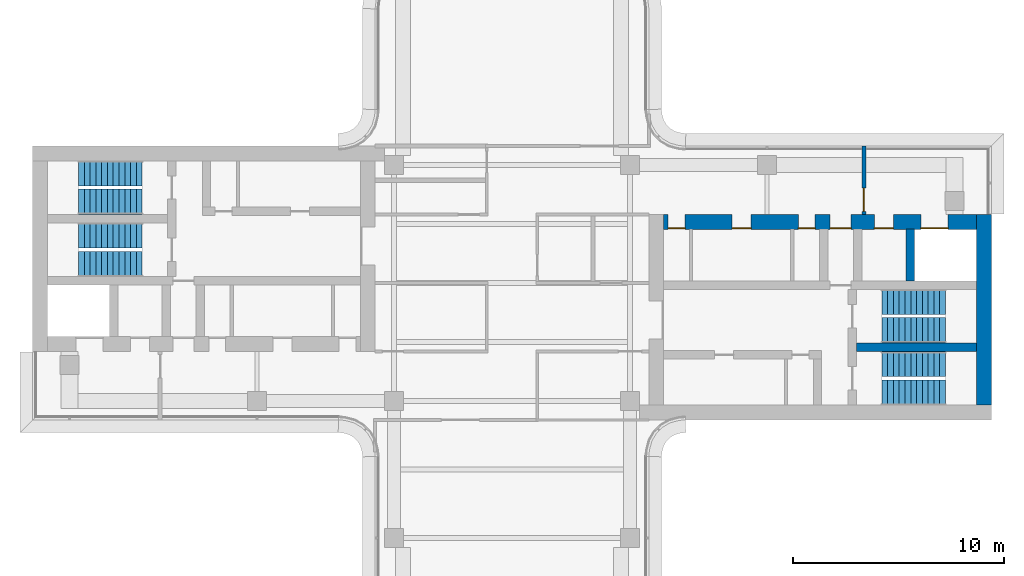
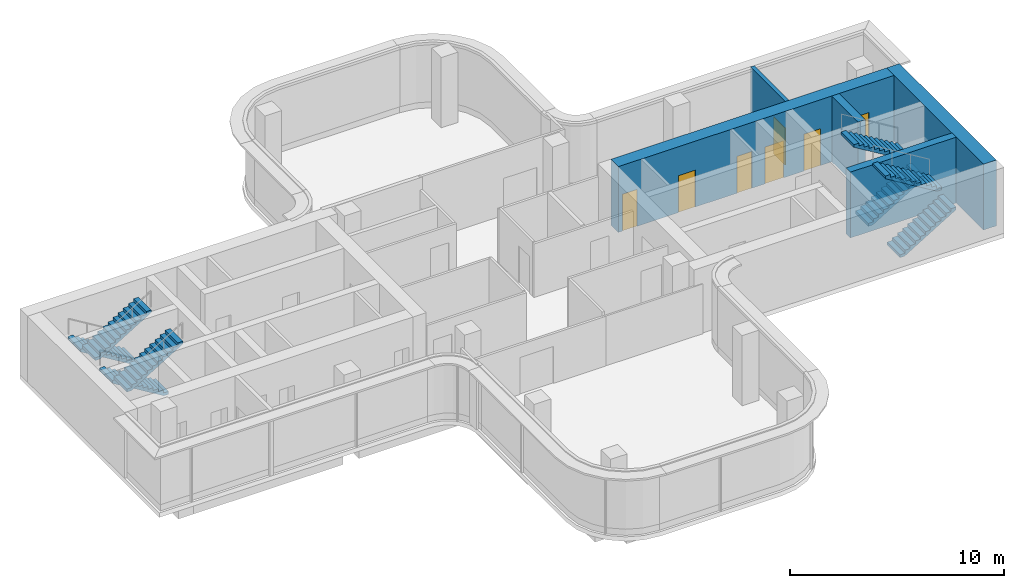
# One storey, part 10 of 11: 8 stair flights, 7 doors, 5 walls, 7 openings, 4 elements without a shape of their own.
"""IFC4 building model written with IfcOpenShell, lengths in metres."""

from ifc_helpers import new_model, si_unit, direction, frame, frame_2d, origin, place, context, subcontext, project, spatial, polyline, rectangle, outline, extrude, source, transform, mapped, material, layer, layer_set, type_object, element, fill, aggregate, save


model = new_model("IFC4")

# Units and contexts
model_context = context("Model", 3, precision=1e-05, world=origin(), true_north=direction((0.0, 1.0)))
body_context = subcontext(model_context, "Body", "Model", "MODEL_VIEW")
ifc_project = project(units=[si_unit("LENGTHUNIT", "METRE"), si_unit("AREAUNIT", "SQUARE_METRE"), si_unit("VOLUMEUNIT", "CUBIC_METRE"), si_unit("PLANEANGLEUNIT", "RADIAN"), si_unit("MASSUNIT", "GRAM", prefix="KILO")], contexts=[model_context])

# Site, building, storey
site_placement = place(None, origin())
site = spatial("IfcSite", under=ifc_project, at=site_placement, CompositionType="ELEMENT")
building_placement = place(site_placement, origin())
building = spatial("IfcBuilding", under=site, at=building_placement, Name="Trellis Farm Tower", CompositionType="ELEMENT")
storey_placement = place(building_placement, frame((0.0, 0.0, 342.10009765625)))
storey = spatial("IfcBuildingStorey", under=building, at=storey_placement, Name="L77", CompositionType="ELEMENT", Elevation=342.10009765625)

# Walls
ifc_material_1 = material(Name="Concrete C50/60", Category="concrete")
ifc_layer_1 = layer(ifc_material_1, 0.699951171875)
ifc_layer_set_1 = layer_set([ifc_layer_1], Name="CORE OUTER WALL 700 CONCRETE C50/60")
wall_type_1 = type_object("IfcWallType", Name="CORE OUTER WALL 700 CONCRETE C50/60", PredefinedType="SHEAR", material=ifc_layer_set_1)
shared_shape_1 = source(origin(), body_context, "Body", "SweptSolid", [
    extrude(rectangle(XDim=9.050048828125, YDim=0.699951171875, at=frame_2d((4.52490234375, 0.0))), origin(), (0.0, 0.0, 1.0), 3.75),
])
wall_1_placement = place(storey_placement, frame((22.39990234375, -5.800048828125, 0.0), z_axis=(0.0, 0.0, 1.0), x_axis=(0.0, 1.0, 0.0)))
element("IfcWall", 1, at=wall_1_placement, inside=storey, type_object=wall_type_1, Name="Core wall", PredefinedType="SHEAR", context=body_context, shape_type="MappedRepresentation", body=[
    mapped(shared_shape_1, transform((0.0, 0.0, 0.0))),
])
ifc_layer_2 = layer(ifc_material_1, 0.39990234375)
ifc_layer_set_2 = layer_set([ifc_layer_2], Name="CORE INNER WALL 400 CONCRETE C50/60")
wall_type_2 = type_object("IfcWallType", Name="CORE INNER WALL 400 CONCRETE C50/60", PredefinedType="SHEAR", material=ifc_layer_set_2)
shared_shape_2 = source(origin(), body_context, "Body", "SweptSolid", [
    extrude(rectangle(XDim=2.449951171875, YDim=0.39990234375, at=frame_2d((1.22509765625, 0.0))), origin(), (0.0, 0.0, 1.0), 3.75),
])
wall_2_placement = place(storey_placement, frame((18.89990234375, 0.10009765625, 0.0), z_axis=(0.0, 0.0, 1.0), x_axis=(0.0, 1.0, 0.0)))
element("IfcWall", 2, at=wall_2_placement, inside=storey, type_object=wall_type_2, Name="Core wall", PredefinedType="SHEAR", context=body_context, shape_type="MappedRepresentation", body=[
    mapped(shared_shape_2, transform((0.0, 0.0, 0.0))),
])

# Wall, openings, doors
shared_shape_3 = source(origin(), body_context, "Body", "SweptSolid", [
    extrude(rectangle(XDim=14.85009765625, YDim=0.699951171875, at=frame_2d((7.425048828125, 0.0))), origin(), (0.0, 0.0, 1.0), 3.75),
])
wall_3_placement = place(storey_placement, frame((7.199951171875, 2.89990234375, 0.0), z_axis=(0.0, 0.0, 1.0), x_axis=(1.0, 0.0, 0.0)))
wall_3 = element("IfcWall", 3, at=wall_3_placement, inside=storey, type_object=wall_type_1, Name="Core wall", PredefinedType="SHEAR", context=body_context, shape_type="MappedRepresentation", body=[
    mapped(shared_shape_3, transform((0.0, 0.0, 0.0))),
])
shared_shape_4 = source(origin(), body_context, "Body", "SweptSolid", [
    extrude(rectangle(XDim=1.300048828125, YDim=2.10009765625, at=frame_2d((0.64990234375, 1.050048828125))), frame((0.0, 0.360107421875, 0.0), z_axis=(0.0, -1.0, 0.0), x_axis=(1.0, 0.0, 0.0)), (0.0, 0.0, 1.0), 0.72021484375),
])
opening_1_placement = place(wall_3_placement, frame((12.199951171875, 0.0, 0.0)))
opening_1 = element("IfcOpeningElement", 4, at=opening_1_placement, cuts=wall_3, Name="Opening LD7", PredefinedType="OPENING", context=body_context, shape_type="MappedRepresentation", body=[
    mapped(shared_shape_4, transform((0.0, 0.0, 0.0))),
])
shared_shape_5 = source(origin(), body_context, "Body", "SweptSolid", [
    extrude(rectangle(XDim=1.0, YDim=2.10009765625, at=frame_2d((0.5, 1.050048828125))), frame((0.0, 0.360107421875, 0.0), z_axis=(0.0, -1.0, 0.0), x_axis=(1.0, 0.0, 0.0)), (0.0, 0.0, 1.0), 0.72021484375),
])
opening_2_placement = place(wall_3_placement, frame((7.89990234375, 0.0, 0.0)))
opening_2 = element("IfcOpeningElement", 5, at=opening_2_placement, cuts=wall_3, Name="Opening DC6", PredefinedType="OPENING", context=body_context, shape_type="MappedRepresentation", body=[
    mapped(shared_shape_5, transform((0.0, 0.0, 0.0))),
])
shared_shape_6 = source(origin(), body_context, "Body", "SweptSolid", [
    extrude(rectangle(XDim=0.800048828125, YDim=2.10009765625, at=frame_2d((0.39990234375, 1.050048828125))), frame((0.0, 0.360107421875, 0.0), z_axis=(0.0, -1.0, 0.0), x_axis=(1.0, 0.0, 0.0)), (0.0, 0.0, 1.0), 0.72021484375),
])
opening_3_placement = place(wall_3_placement, frame((0.21240234375, 0.0, 0.0)))
opening_3 = element("IfcOpeningElement", 6, at=opening_3_placement, cuts=wall_3, Name="Opening DC9", PredefinedType="OPENING", context=body_context, shape_type="MappedRepresentation", body=[
    mapped(shared_shape_6, transform((0.0, 0.0, 0.0))),
])
shared_shape_7 = source(origin(), body_context, "Body", "SweptSolid", [
    extrude(rectangle(XDim=0.89990234375, YDim=2.10009765625, at=frame_2d((0.449951171875, 1.050048828125))), frame((0.0, 0.360107421875, 0.0), z_axis=(0.0, -1.0, 0.0), x_axis=(1.0, 0.0, 0.0)), (0.0, 0.0, 1.0), 0.72021484375),
])
opening_4_placement = place(wall_3_placement, frame((3.25, 0.0, 0.0)))
opening_4 = element("IfcOpeningElement", 7, at=opening_4_placement, cuts=wall_3, Name="Opening DC18", PredefinedType="OPENING", context=body_context, shape_type="MappedRepresentation", body=[
    mapped(shared_shape_7, transform((0.0, 0.0, 0.0))),
])
opening_5_placement = place(wall_3_placement, frame((6.387451171875, 0.0, 0.0)))
opening_5 = element("IfcOpeningElement", 8, at=opening_5_placement, cuts=wall_3, Name="Opening DC21", PredefinedType="OPENING", context=body_context, shape_type="MappedRepresentation", body=[
    mapped(shared_shape_6, transform((0.0, 0.0, 0.0))),
])
opening_6_placement = place(wall_3_placement, frame((10.0, 0.0, 0.0)))
opening_6 = element("IfcOpeningElement", 9, at=opening_6_placement, cuts=wall_3, Name="Opening DC48", PredefinedType="OPENING", context=body_context, shape_type="MappedRepresentation", body=[
    mapped(shared_shape_7, transform((0.0, 0.0, 0.0))),
])
ifc_material_2 = material(Name="Steel", Category="steel")
door_type_1 = type_object("IfcDoorType", Name="CORE FIRE DOOR 1000 X 2100", OperationType="NOTDEFINED", PredefinedType="DOOR", material=ifc_material_2)
shared_shape_8 = source(origin(), body_context, "Body", "SweptSolid", [
    extrude(rectangle(XDim=1.0, YDim=2.10009765625, at=frame_2d((0.5, 1.050048828125))), frame((0.0, -0.27490234375, 0.0), z_axis=(0.0, -1.0, 0.0), x_axis=(1.0, 0.0, 0.0)), (0.0, 0.0, 1.0), 0.050048828125),
])
door_1_placement = place(opening_2_placement, origin())
door_1 = element("IfcDoor", 10, at=door_1_placement, inside=storey, type_object=door_type_1, Name="Core door", OperationType="SINGLE_SWING_LEFT", OverallHeight=2.10009765625, OverallWidth=1.0, PredefinedType="DOOR", context=body_context, shape_type="MappedRepresentation", body=[
    mapped(shared_shape_8, transform((0.0, 0.0, 0.0))),
])
fill(opening_2, door_1)
door_type_2 = type_object("IfcDoorType", Name="CORE FIRE DOOR 900 X 2100", OperationType="NOTDEFINED", PredefinedType="DOOR", material=ifc_material_2)
shared_shape_9 = source(origin(), body_context, "Body", "SweptSolid", [
    extrude(rectangle(XDim=0.89990234375, YDim=2.10009765625, at=frame_2d((0.449951171875, 1.050048828125))), frame((0.0, -0.27490234375, 0.0), z_axis=(0.0, -1.0, 0.0), x_axis=(1.0, 0.0, 0.0)), (0.0, 0.0, 1.0), 0.050048828125),
])
door_2_placement = place(opening_4_placement, origin())
door_2 = element("IfcDoor", 11, at=door_2_placement, inside=storey, type_object=door_type_2, Name="Core door", OperationType="SINGLE_SWING_RIGHT", OverallHeight=2.10009765625, OverallWidth=0.89990234375, PredefinedType="DOOR", context=body_context, shape_type="MappedRepresentation", body=[
    mapped(shared_shape_9, transform((0.0, 0.0, 0.0))),
])
fill(opening_4, door_2)
door_3_placement = place(opening_6_placement, origin())
door_3 = element("IfcDoor", 12, at=door_3_placement, inside=storey, type_object=door_type_2, Name="Core door", OperationType="SINGLE_SWING_RIGHT", OverallHeight=2.10009765625, OverallWidth=0.89990234375, PredefinedType="DOOR", context=body_context, shape_type="MappedRepresentation", body=[
    mapped(shared_shape_9, transform((0.0, 0.0, 0.0))),
])
fill(opening_6, door_3)
ifc_material_3 = material(Name="Stainless steel", Category="steel")
door_type_3 = type_object("IfcDoorType", Name="LIFT LANDING DOOR 1300 X 2100", OperationType="DOUBLE_DOOR_SLIDING", PredefinedType="DOOR", material=ifc_material_3)
shared_shape_10 = source(origin(), body_context, "Body", "SweptSolid", [
    extrude(rectangle(XDim=1.300048828125, YDim=2.10009765625, at=frame_2d((0.64990234375, 1.050048828125))), frame((0.0, -0.27490234375, 0.0), z_axis=(0.0, -1.0, 0.0), x_axis=(1.0, 0.0, 0.0)), (0.0, 0.0, 1.0), 0.050048828125),
])
door_4_placement = place(opening_1_placement, origin())
door_4 = element("IfcDoor", 13, at=door_4_placement, inside=storey, type_object=door_type_3, Name="Lift landing door", OperationType="DOUBLE_DOOR_SLIDING", OverallHeight=2.10009765625, OverallWidth=1.300048828125, PredefinedType="DOOR", context=body_context, shape_type="MappedRepresentation", body=[
    mapped(shared_shape_10, transform((0.0, 0.0, 0.0))),
])
fill(opening_1, door_4)
door_type_4 = type_object("IfcDoorType", Name="CORE FIRE DOOR 800 X 2100", OperationType="NOTDEFINED", PredefinedType="DOOR", material=ifc_material_2)
shared_shape_11 = source(origin(), body_context, "Body", "SweptSolid", [
    extrude(rectangle(XDim=0.800048828125, YDim=2.10009765625, at=frame_2d((0.39990234375, 1.050048828125))), frame((0.0, -0.27490234375, 0.0), z_axis=(0.0, -1.0, 0.0), x_axis=(1.0, 0.0, 0.0)), (0.0, 0.0, 1.0), 0.050048828125),
])
door_5_placement = place(opening_3_placement, origin())
door_5 = element("IfcDoor", 14, at=door_5_placement, inside=storey, type_object=door_type_4, Name="Core door", OperationType="SINGLE_SWING_LEFT", OverallHeight=2.10009765625, OverallWidth=0.800048828125, PredefinedType="DOOR", context=body_context, shape_type="MappedRepresentation", body=[
    mapped(shared_shape_11, transform((0.0, 0.0, 0.0))),
])
fill(opening_3, door_5)
door_6_placement = place(opening_5_placement, origin())
door_6 = element("IfcDoor", 15, at=door_6_placement, inside=storey, type_object=door_type_4, Name="Core door", OperationType="SINGLE_SWING_LEFT", OverallHeight=2.10009765625, OverallWidth=0.800048828125, PredefinedType="DOOR", context=body_context, shape_type="MappedRepresentation", body=[
    mapped(shared_shape_11, transform((0.0, 0.0, 0.0))),
])
fill(opening_5, door_6)

# Wall
shared_shape_12 = source(origin(), body_context, "Body", "SweptSolid", [
    extrude(rectangle(XDim=5.699951171875, YDim=0.39990234375, at=frame_2d((2.85009765625, 0.0))), origin(), (0.0, 0.0, 1.0), 3.75),
])
wall_4_placement = place(storey_placement, frame((16.35009765625, -3.050048828125, 0.0), z_axis=(0.0, 0.0, 1.0), x_axis=(1.0, 0.0, 0.0)))
element("IfcWall", 16, at=wall_4_placement, inside=storey, type_object=wall_type_2, Name="Core wall", PredefinedType="SHEAR", context=body_context, shape_type="MappedRepresentation", body=[
    mapped(shared_shape_12, transform((0.0, 0.0, 0.0))),
])

# Wall, opening, door
ifc_material_4 = material(Name="Masonry blockwork", Category="masonry")
ifc_layer_3 = layer(ifc_material_4, 0.199951171875)
ifc_layer_set_3 = layer_set([ifc_layer_3], Name="FIRE LOBBY PARTITION 200 BLOCKWORK")
wall_type_3 = type_object("IfcWallType", Name="FIRE LOBBY PARTITION 200 BLOCKWORK", PredefinedType="PARTITIONING", material=ifc_layer_set_3)
shared_shape_13 = source(origin(), body_context, "Body", "SweptSolid", [
    extrude(rectangle(XDim=3.25, YDim=0.199951171875, at=frame_2d((1.625, 0.0))), origin(), (0.0, 0.0, 1.0), 3.75),
])
wall_5_placement = place(storey_placement, frame((16.699951171875, 3.25, 0.0), z_axis=(0.0, 0.0, 1.0), x_axis=(0.0, 1.0, 0.0)))
wall_5 = element("IfcWall", 17, at=wall_5_placement, inside=storey, type_object=wall_type_3, Name="Fire-fighting lobby partition", PredefinedType="PARTITIONING", context=body_context, shape_type="MappedRepresentation", body=[
    mapped(shared_shape_13, transform((0.0, 0.0, 0.0))),
])
shared_shape_14 = source(origin(), body_context, "Body", "SweptSolid", [
    extrude(rectangle(XDim=1.10009765625, YDim=2.10009765625, at=frame_2d((0.550048828125, 1.050048828125))), frame((0.0, 0.110107421875, 0.0), z_axis=(0.0, -1.0, 0.0), x_axis=(1.0, 0.0, 0.0)), (0.0, 0.0, 1.0), 0.22021484375),
])
opening_7_placement = place(wall_5_placement, frame((0.14990234375, 0.0, 0.0)))
opening_7 = element("IfcOpeningElement", 18, at=opening_7_placement, cuts=wall_5, Name="Opening DC7", PredefinedType="OPENING", context=body_context, shape_type="MappedRepresentation", body=[
    mapped(shared_shape_14, transform((0.0, 0.0, 0.0))),
])
door_type_5 = type_object("IfcDoorType", Name="CORE FIRE DOOR 1100 X 2100", OperationType="NOTDEFINED", PredefinedType="DOOR", material=ifc_material_2)
shared_shape_15 = source(origin(), body_context, "Body", "SweptSolid", [
    extrude(rectangle(XDim=1.10009765625, YDim=2.10009765625, at=frame_2d((0.550048828125, 1.050048828125))), frame((0.0, 0.02490234375, 0.0), z_axis=(0.0, -1.0, 0.0), x_axis=(1.0, 0.0, 0.0)), (0.0, 0.0, 1.0), 0.050048828125),
])
door_7_placement = place(opening_7_placement, origin())
door_7 = element("IfcDoor", 19, at=door_7_placement, inside=storey, type_object=door_type_5, Name="Core door", OperationType="SINGLE_SWING_RIGHT", OverallHeight=2.10009765625, OverallWidth=1.10009765625, PredefinedType="DOOR", context=body_context, shape_type="MappedRepresentation", body=[
    mapped(shared_shape_15, transform((0.0, 0.0, 0.0))),
])
fill(opening_7, door_7)

# Stair, stair flights
stair_type = type_object("IfcStairType", Name="CORE EXIT STAIR 24 RISERS 167 MM", PredefinedType="HALF_TURN_STAIR", material=ifc_material_1)
placement = place(storey_placement, origin())
stair_1 = element("IfcStair", 20, at=placement, inside=storey, type_object=stair_type, Name="Exit stair E1", PredefinedType="HALF_TURN_STAIR")
stair_flight_type = type_object("IfcStairFlightType", Name="STAIR FLIGHT 12 RISERS 167 MM", PredefinedType="STRAIGHT", material=ifc_material_1)
shared_shape_16 = source(origin(), body_context, "Body", "SweptSolid", [
    extrude(outline(polyline([(0.0, 0.0), (0.0, 0.166748046875), (0.27490234375, 0.166748046875), (0.27490234375, 0.333251953125), (0.550048828125, 0.333251953125), (0.550048828125, 0.5), (0.824951171875, 0.5), (0.824951171875, 0.666748046875), (1.10009765625, 0.666748046875), (1.10009765625, 0.833251953125), (1.375, 0.833251953125), (1.375, 1.0), (1.64990234375, 1.0), (1.64990234375, 1.166748046875), (1.925048828125, 1.166748046875), (1.925048828125, 1.333251953125), (2.199951171875, 1.333251953125), (2.199951171875, 1.5), (2.47509765625, 1.5), (2.47509765625, 1.666748046875), (2.75, 1.666748046875), (2.75, 1.833251953125), (3.02490234375, 1.833251953125), (3.02490234375, 2.0), (3.02490234375, 1.681396484375), (0.25048828125, 0.0), (0.0, 0.0)])), frame((0.0, 0.60009765625, 0.0), z_axis=(0.0, -1.0, 0.0), x_axis=(1.0, 0.0, 0.0)), (0.0, 0.0, 1.0), 1.199951171875),
])
stair_flight_1_placement = place(storey_placement, frame((17.550048828125, -5.199951171875, 0.0), z_axis=(0.0, 0.0, 1.0), x_axis=(1.0, 0.0, 0.0)))
stair_flight_1 = element("IfcStairFlight", 21, at=stair_flight_1_placement, type_object=stair_flight_type, Name="STE1 flight 1", NumberOfRisers=12, NumberOfTreads=11, PredefinedType="STRAIGHT", RiserHeight=0.166666667, TreadLength=0.275, context=body_context, shape_type="MappedRepresentation", body=[
    mapped(shared_shape_16, transform((0.0, 0.0, 0.0))),
])
stair_flight_2_placement = place(storey_placement, frame((20.574951171875, -3.85009765625, 2.0), z_axis=(0.0, 0.0, 1.0), x_axis=(-1.0, 0.0, 0.0)))
stair_flight_2 = element("IfcStairFlight", 22, at=stair_flight_2_placement, type_object=stair_flight_type, Name="STE1 flight 2", NumberOfRisers=12, NumberOfTreads=11, PredefinedType="STRAIGHT", RiserHeight=0.166666667, TreadLength=0.275, context=body_context, shape_type="MappedRepresentation", body=[
    mapped(shared_shape_16, transform((0.0, 0.0, 0.0))),
])
aggregate(stair_1, [stair_flight_1, stair_flight_2])

stair_2 = element("IfcStair", 23, at=placement, inside=storey, type_object=stair_type, Name="Exit stair E2", PredefinedType="HALF_TURN_STAIR")
stair_flight_3_placement = place(storey_placement, frame((17.550048828125, -2.25, 0.0), z_axis=(0.0, 0.0, 1.0), x_axis=(1.0, 0.0, 0.0)))
stair_flight_3 = element("IfcStairFlight", 24, at=stair_flight_3_placement, type_object=stair_flight_type, Name="STE2 flight 1", NumberOfRisers=12, NumberOfTreads=11, PredefinedType="STRAIGHT", RiserHeight=0.166666667, TreadLength=0.275, context=body_context, shape_type="MappedRepresentation", body=[
    mapped(shared_shape_16, transform((0.0, 0.0, 0.0))),
])
stair_flight_4_placement = place(storey_placement, frame((20.574951171875, -0.89990234375, 2.0), z_axis=(0.0, 0.0, 1.0), x_axis=(-1.0, 0.0, 0.0)))
stair_flight_4 = element("IfcStairFlight", 25, at=stair_flight_4_placement, type_object=stair_flight_type, Name="STE2 flight 2", NumberOfRisers=12, NumberOfTreads=11, PredefinedType="STRAIGHT", RiserHeight=0.166666667, TreadLength=0.275, context=body_context, shape_type="MappedRepresentation", body=[
    mapped(shared_shape_16, transform((0.0, 0.0, 0.0))),
])
aggregate(stair_2, [stair_flight_3, stair_flight_4])

stair_3 = element("IfcStair", 26, at=placement, inside=storey, type_object=stair_type, Name="Exit stair W1", PredefinedType="HALF_TURN_STAIR")
stair_flight_5_placement = place(storey_placement, frame((-17.550048828125, 5.199951171875, 0.0), z_axis=(0.0, 0.0, 1.0), x_axis=(-1.0, 0.0, 0.0)))
stair_flight_5 = element("IfcStairFlight", 27, at=stair_flight_5_placement, type_object=stair_flight_type, Name="STW1 flight 1", NumberOfRisers=12, NumberOfTreads=11, PredefinedType="STRAIGHT", RiserHeight=0.166666667, TreadLength=0.275, context=body_context, shape_type="MappedRepresentation", body=[
    mapped(shared_shape_16, transform((0.0, 0.0, 0.0))),
])
stair_flight_6_placement = place(storey_placement, frame((-20.574951171875, 3.85009765625, 2.0), z_axis=(0.0, 0.0, 1.0), x_axis=(1.0, 0.0, 0.0)))
stair_flight_6 = element("IfcStairFlight", 28, at=stair_flight_6_placement, type_object=stair_flight_type, Name="STW1 flight 2", NumberOfRisers=12, NumberOfTreads=11, PredefinedType="STRAIGHT", RiserHeight=0.166666667, TreadLength=0.275, context=body_context, shape_type="MappedRepresentation", body=[
    mapped(shared_shape_16, transform((0.0, 0.0, 0.0))),
])
aggregate(stair_3, [stair_flight_5, stair_flight_6])

stair_4 = element("IfcStair", 29, at=placement, inside=storey, type_object=stair_type, Name="Exit stair W2", PredefinedType="HALF_TURN_STAIR")
stair_flight_7_placement = place(storey_placement, frame((-17.550048828125, 2.25, 0.0), z_axis=(0.0, 0.0, 1.0), x_axis=(-1.0, 0.0, 0.0)))
stair_flight_7 = element("IfcStairFlight", 30, at=stair_flight_7_placement, type_object=stair_flight_type, Name="STW2 flight 1", NumberOfRisers=12, NumberOfTreads=11, PredefinedType="STRAIGHT", RiserHeight=0.166666667, TreadLength=0.275, context=body_context, shape_type="MappedRepresentation", body=[
    mapped(shared_shape_16, transform((0.0, 0.0, 0.0))),
])
stair_flight_8_placement = place(storey_placement, frame((-20.574951171875, 0.89990234375, 2.0), z_axis=(0.0, 0.0, 1.0), x_axis=(1.0, 0.0, 0.0)))
stair_flight_8 = element("IfcStairFlight", 31, at=stair_flight_8_placement, type_object=stair_flight_type, Name="STW2 flight 2", NumberOfRisers=12, NumberOfTreads=11, PredefinedType="STRAIGHT", RiserHeight=0.166666667, TreadLength=0.275, context=body_context, shape_type="MappedRepresentation", body=[
    mapped(shared_shape_16, transform((0.0, 0.0, 0.0))),
])
aggregate(stair_4, [stair_flight_7, stair_flight_8])

save(model, "model.ifc")
